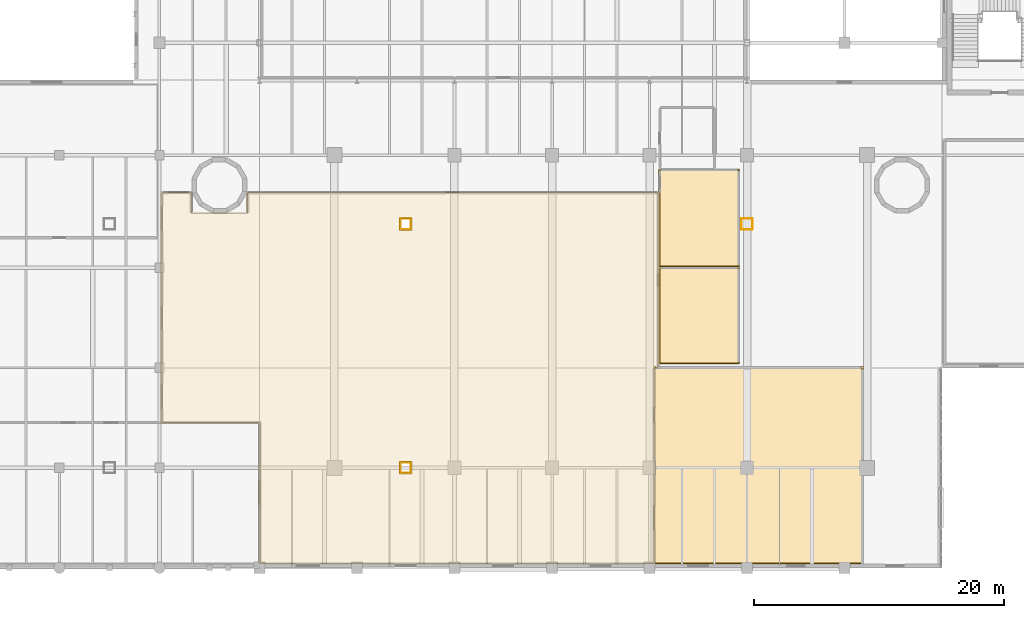
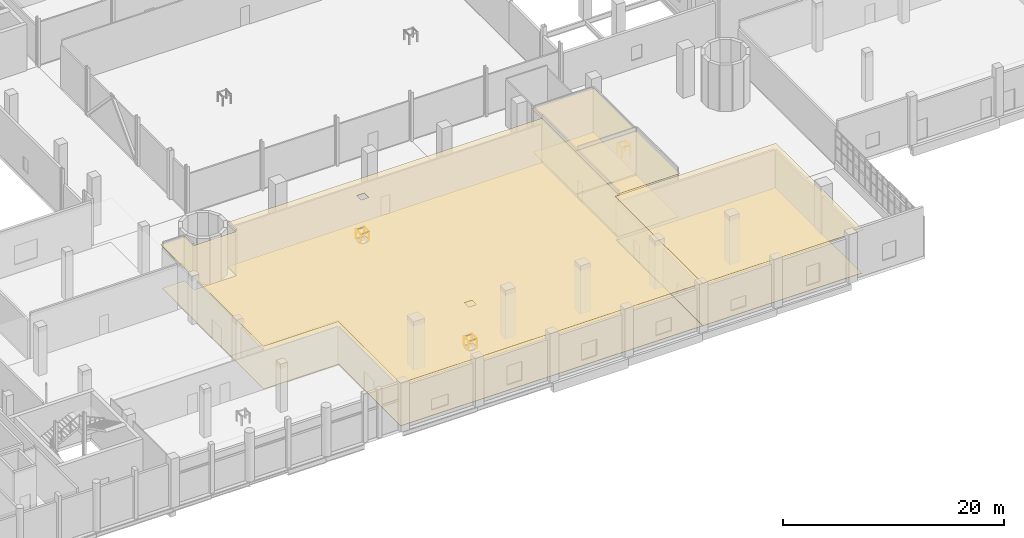
# One storey, part 52 of 57: 12 railings, 8 coverings.
"""IFC4 building model written with IfcOpenShell, lengths in metres."""

from ifc_helpers import new_model, si_unit, derived_unit, direction, frame, origin, origin_2d, place, context, subcontext, project, spatial, polyline, circle, outline, extrude, material, layer, layer_set, type_object, element, save


model = new_model("IFC4")

# Units and contexts
model_context = context("Model", 3, precision=1e-05, world=origin(), true_north=direction((0.0, 1.0)))
body_context = subcontext(model_context, "Body", "Model", "MODEL_VIEW")
ifc_project = project(units=[si_unit("LENGTHUNIT", "METRE"), si_unit("AREAUNIT", "SQUARE_METRE"), si_unit("VOLUMEUNIT", "CUBIC_METRE"), si_unit("PLANEANGLEUNIT", "RADIAN"), si_unit("MASSUNIT", "GRAM", prefix="KILO"), derived_unit("THERMALTRANSMITTANCEUNIT", [(si_unit("POWERUNIT", "WATT"), 1), (si_unit("LENGTHUNIT", "METRE"), -2), (si_unit("THERMODYNAMICTEMPERATUREUNIT", "KELVIN"), -1)])], contexts=[model_context])

# Site, building, storey
site_placement = place(None, origin())
site = spatial("IfcSite", under=ifc_project, at=site_placement, CompositionType="ELEMENT")
building_placement = place(site_placement, origin())
building = spatial("IfcBuilding", under=site, at=building_placement, Name="Nallur Shell Playhouse", CompositionType="ELEMENT")
storey_placement = place(building_placement, origin())
storey = spatial("IfcBuildingStorey", under=building, at=storey_placement, Name="L01", CompositionType="ELEMENT", Elevation=0.0)

# Coverings
ifc_material_1 = material(Name="Micro-Perforated Teak Veneer Acoustic Baffle Ceiling")
ifc_layer_1 = layer(ifc_material_1, 0.044921875)
ifc_layer_set_1 = layer_set([ifc_layer_1], Name="Micro-Perforated Teak Veneer Acoustic Baffle Ceiling")
covering_type_1 = type_object("IfcCoveringType", Name="CV-CEIL-AC1", PredefinedType="CEILING", material=ifc_layer_set_1)
covering_1_placement = place(storey_placement, frame((0.0, 0.0, 4.804931640625)))
element("IfcCovering", 1, at=covering_1_placement, inside=storey, type_object=covering_type_1, Name="Main Foyer Female Restroom suspended acoustic ceiling", PredefinedType="CEILING", context=body_context, shape_type="SweptSolid", body=[
    extrude(outline(polyline([(102.409912109375, 32.030029296875), (95.909912109375, 32.030029296875), (95.909912109375, 39.909912109375), (102.409912109375, 39.909912109375), (102.409912109375, 32.030029296875)])), origin(), (0.0, 0.0, 1.0), 0.045166015625),
])
ifc_material_2 = material(Name="Mineral-Fibre High-NRC Suspended Ceiling Tile")
ifc_layer_2 = layer(ifc_material_2, 0.030029296875)
ifc_layer_set_2 = layer_set([ifc_layer_2], Name="Mineral-Fibre High-NRC Suspended Ceiling Tile")
covering_type_2 = type_object("IfcCoveringType", Name="CV-CEIL-AC2", PredefinedType="CEILING", material=ifc_layer_set_2)
covering_2_placement = place(storey_placement, frame((0.0, 0.0, 4.820068359375)))
element("IfcCovering", 2, at=covering_2_placement, inside=storey, type_object=covering_type_2, Name="Grand Monsoon Concourse & Ticket Hall suspended acoustic ceiling", PredefinedType="CEILING", context=body_context, shape_type="SweptSolid", body=[
    extrude(outline(polyline([(63.919921875, 19.52001953125), (56.090087890625, 19.52001953125), (56.090087890625, 38.110107421875), (58.659912109375, 38.110107421875), (58.659912109375, 36.4599609375), (62.93994140625, 36.4599609375), (62.93994140625, 38.110107421875), (95.989990234375, 38.110107421875), (95.989990234375, 23.919921875), (95.679931640625, 23.919921875), (95.679931640625, 8.2900390625), (63.919921875, 8.2900390625), (63.919921875, 19.52001953125)]), holes=[polyline([(75.31005859375, 16.389892578125), (75.31005859375, 15.610107421875), (76.090087890625, 15.610107421875), (76.090087890625, 16.389892578125), (75.31005859375, 16.389892578125)]), polyline([(75.31005859375, 35.889892578125), (75.31005859375, 35.110107421875), (76.090087890625, 35.110107421875), (76.090087890625, 35.889892578125), (75.31005859375, 35.889892578125)])]), origin(), (0.0, 0.0, 1.0), 0.030029296875),
])
covering_3_placement = place(storey_placement, frame((0.0, 0.0, 4.820068359375)))
element("IfcCovering", 3, at=covering_3_placement, inside=storey, type_object=covering_type_2, Name="Patron Cloakroom & Audio Guide Counter suspended acoustic ceiling", PredefinedType="CEILING", context=body_context, shape_type="SweptSolid", body=[
    extrude(outline(polyline([(112.31005859375, 24.110107421875), (112.31005859375, 8.2900390625), (95.489990234375, 8.2900390625), (95.489990234375, 24.110107421875), (112.31005859375, 24.110107421875)])), origin(), (0.0, 0.0, 1.0), 0.030029296875),
])
covering_4_placement = place(storey_placement, frame((0.0, 0.0, 4.820068359375)))
element("IfcCovering", 4, at=covering_4_placement, inside=storey, type_object=covering_type_2, Name="Main Foyer Male Restroom suspended acoustic ceiling", PredefinedType="CEILING", context=body_context, shape_type="SweptSolid", body=[
    extrude(outline(polyline([(102.409912109375, 24.2900390625), (95.909912109375, 24.2900390625), (95.909912109375, 32.110107421875), (102.409912109375, 32.110107421875), (102.409912109375, 24.2900390625)])), origin(), (0.0, 0.0, 1.0), 0.030029296875),
])
ifc_material_3 = material(Name="Polished Chettinad Oxide & White Marble Terrazzo Flooring", Category="masonry")
ifc_layer_3 = layer(ifc_material_3, 0.050048828125)
ifc_layer_set_3 = layer_set([ifc_layer_3], Name="Polished Chettinad Oxide & White Marble Terrazzo Flooring")
covering_type_3 = type_object("IfcCoveringType", Name="CV-FLOR-TERRAZZO", PredefinedType="FLOORING", material=ifc_layer_set_3)
covering_5_placement = place(storey_placement, origin())
element("IfcCovering", 5, at=covering_5_placement, inside=storey, type_object=covering_type_3, Name="Grand Monsoon Concourse & Ticket Hall floor finish", PredefinedType="FLOORING", context=body_context, shape_type="SweptSolid", body=[
    extrude(outline(polyline([(95.59130859375, 24.02880859375), (95.58837890625, 24.027587890625), (95.5859375, 24.026611328125), (95.583251953125, 24.02490234375), (95.5810546875, 24.023193359375), (95.578857421875, 24.021240234375), (95.576904296875, 24.01904296875), (95.5751953125, 24.0166015625), (95.573486328125, 24.01416015625), (95.572265625, 24.011474609375), (95.5712890625, 24.0087890625), (95.570556640625, 24.005859375), (95.570068359375, 24.0029296875), (95.570068359375, 24.0), (95.570068359375, 8.39990234375), (64.030029296875, 8.39990234375), (64.030029296875, 19.60009765625), (64.02978515625, 19.602783203125), (64.029296875, 19.60595703125), (64.02880859375, 19.608642578125), (64.027587890625, 19.611572265625), (64.026611328125, 19.614013671875), (64.02490234375, 19.61669921875), (64.023193359375, 19.618896484375), (64.021240234375, 19.62109375), (64.01904296875, 19.623291015625), (64.0166015625, 19.625), (64.01416015625, 19.62646484375), (64.011474609375, 19.627685546875), (64.0087890625, 19.628662109375), (64.005859375, 19.62939453125), (64.0029296875, 19.6298828125), (64.0, 19.6298828125), (56.199951171875, 19.6298828125), (56.199951171875, 38.0), (58.550048828125, 38.0), (58.550048828125, 36.35009765625), (63.050048828125, 36.35009765625), (63.050048828125, 38.0), (95.8798828125, 38.0), (95.8798828125, 24.030029296875), (95.60009765625, 24.030029296875), (95.59716796875, 24.02978515625), (95.593994140625, 24.029296875), (95.59130859375, 24.02880859375)]), holes=[polyline([(75.199951171875, 16.5), (75.199951171875, 15.5), (76.199951171875, 15.5), (76.199951171875, 16.5), (75.199951171875, 16.5)]), polyline([(75.199951171875, 36.0), (75.199951171875, 35.0), (76.199951171875, 35.0), (76.199951171875, 36.0), (75.199951171875, 36.0)])]), origin(), (0.0, 0.0, 1.0), 0.050048828125),
])
covering_6_placement = place(storey_placement, origin())
element("IfcCovering", 6, at=covering_6_placement, inside=storey, type_object=covering_type_3, Name="Patron Cloakroom & Audio Guide Counter floor finish", PredefinedType="FLOORING", context=body_context, shape_type="SweptSolid", body=[
    extrude(outline(polyline([(112.199951171875, 24.0), (112.199951171875, 8.39990234375), (95.60009765625, 8.39990234375), (95.60009765625, 24.0), (112.199951171875, 24.0)])), origin(), (0.0, 0.0, 1.0), 0.050048828125),
])
covering_7_placement = place(storey_placement, origin())
element("IfcCovering", 7, at=covering_7_placement, inside=storey, type_object=covering_type_3, Name="Main Foyer Male Restroom floor finish", PredefinedType="FLOORING", context=body_context, shape_type="SweptSolid", body=[
    extrude(outline(polyline([(102.300048828125, 24.39990234375), (96.02001953125, 24.39990234375), (96.02001953125, 32.0), (102.300048828125, 32.0), (102.300048828125, 24.39990234375)])), origin(), (0.0, 0.0, 1.0), 0.050048828125),
])
covering_8_placement = place(storey_placement, origin())
element("IfcCovering", 8, at=covering_8_placement, inside=storey, type_object=covering_type_3, Name="Main Foyer Female Restroom floor finish", PredefinedType="FLOORING", context=body_context, shape_type="SweptSolid", body=[
    extrude(outline(polyline([(102.300048828125, 32.139892578125), (96.02001953125, 32.139892578125), (96.02001953125, 39.800048828125), (102.300048828125, 39.800048828125), (102.300048828125, 32.139892578125)])), origin(), (0.0, 0.0, 1.0), 0.050048828125),
])

# Railings
ifc_material_4 = material(Name="Brushed Stainless Steel 316 Balustrade & Toughened Infill", Category="steel")
railing_type = type_object("IfcRailingType", Name="RL-GUARD-1100", PredefinedType="BALUSTRADE", material=ifc_material_4)
railing_1_placement = place(storey_placement, frame((75.27001953125, 15.570068359375, 0.0)))
element("IfcRailing", 9, at=railing_1_placement, inside=storey, type_object=railing_type, Name="L01 service riser edge guard 047", PredefinedType="BALUSTRADE", context=body_context, shape_type="SweptSolid", body=[
    extrude(circle(Radius=0.02392578125, at=origin_2d()), frame((0.0, 0.0, 1.09619140625), z_axis=(1.0, 0.0, 0.0), x_axis=(0.0, 1.0, 0.0)), (0.0, 0.0, 1.0), 0.85986328125),
    extrude(circle(Radius=0.02099609375, at=origin_2d()), origin(), (0.0, 0.0, 1.0), 1.072021484375),
    extrude(circle(Radius=0.02099609375, at=origin_2d()), frame((0.85986328125, 0.0, 0.0)), (0.0, 0.0, 1.0), 1.072021484375),
])
railing_2_placement = place(storey_placement, frame((76.1298828125, 15.570068359375, 0.0)))
element("IfcRailing", 10, at=railing_2_placement, inside=storey, type_object=railing_type, Name="L01 service riser edge guard 048", PredefinedType="BALUSTRADE", context=body_context, shape_type="SweptSolid", body=[
    extrude(circle(Radius=0.02392578125, at=origin_2d()), frame((0.0, 0.0, 1.09619140625), z_axis=(0.0, 1.0, 0.0), x_axis=(-1.0, 0.0, 0.0)), (0.0, 0.0, 1.0), 0.85986328125),
    extrude(circle(Radius=0.02099609375, at=origin_2d()), origin(), (0.0, 0.0, 1.0), 1.072021484375),
    extrude(circle(Radius=0.02099609375, at=origin_2d()), frame((0.0, 0.85986328125, 0.0)), (0.0, 0.0, 1.0), 1.072021484375),
])
railing_3_placement = place(storey_placement, frame((76.1298828125, 16.429931640625, 0.0)))
element("IfcRailing", 11, at=railing_3_placement, inside=storey, type_object=railing_type, Name="L01 service riser edge guard 049", PredefinedType="BALUSTRADE", context=body_context, shape_type="SweptSolid", body=[
    extrude(circle(Radius=0.02392578125, at=origin_2d()), frame((0.0, 0.0, 1.09619140625), z_axis=(-1.0, 0.0, 0.0), x_axis=(0.0, -1.0, 0.0)), (0.0, 0.0, 1.0), 0.85986328125),
    extrude(circle(Radius=0.02099609375, at=origin_2d()), origin(), (0.0, 0.0, 1.0), 1.072021484375),
    extrude(circle(Radius=0.02099609375, at=origin_2d()), frame((-0.85986328125, 0.0, 0.0)), (0.0, 0.0, 1.0), 1.072021484375),
])
railing_4_placement = place(storey_placement, frame((75.27001953125, 16.429931640625, 0.0)))
element("IfcRailing", 12, at=railing_4_placement, inside=storey, type_object=railing_type, Name="L01 service riser edge guard 050", PredefinedType="BALUSTRADE", context=body_context, shape_type="SweptSolid", body=[
    extrude(circle(Radius=0.02392578125, at=origin_2d()), frame((0.0, 0.0, 1.09619140625), z_axis=(0.0, -1.0, 0.0), x_axis=(1.0, 0.0, 0.0)), (0.0, 0.0, 1.0), 0.85986328125),
    extrude(circle(Radius=0.02099609375, at=origin_2d()), origin(), (0.0, 0.0, 1.0), 1.072021484375),
    extrude(circle(Radius=0.02099609375, at=origin_2d()), frame((0.0, -0.85986328125, 0.0)), (0.0, 0.0, 1.0), 1.072021484375),
])
railing_5_placement = place(storey_placement, frame((75.27001953125, 35.070068359375, 0.0)))
element("IfcRailing", 13, at=railing_5_placement, inside=storey, type_object=railing_type, Name="L01 service riser edge guard 051", PredefinedType="BALUSTRADE", context=body_context, shape_type="SweptSolid", body=[
    extrude(circle(Radius=0.02392578125, at=origin_2d()), frame((0.0, 0.0, 1.09619140625), z_axis=(1.0, 0.0, 0.0), x_axis=(0.0, 1.0, 0.0)), (0.0, 0.0, 1.0), 0.85986328125),
    extrude(circle(Radius=0.02099609375, at=origin_2d()), origin(), (0.0, 0.0, 1.0), 1.072021484375),
    extrude(circle(Radius=0.02099609375, at=origin_2d()), frame((0.85986328125, 0.0, 0.0)), (0.0, 0.0, 1.0), 1.072021484375),
])
railing_6_placement = place(storey_placement, frame((76.1298828125, 35.070068359375, 0.0)))
element("IfcRailing", 14, at=railing_6_placement, inside=storey, type_object=railing_type, Name="L01 service riser edge guard 052", PredefinedType="BALUSTRADE", context=body_context, shape_type="SweptSolid", body=[
    extrude(circle(Radius=0.02392578125, at=origin_2d()), frame((0.0, 0.0, 1.09619140625), z_axis=(0.0, 1.0, 0.0), x_axis=(-1.0, 0.0, 0.0)), (0.0, 0.0, 1.0), 0.85986328125),
    extrude(circle(Radius=0.02099609375, at=origin_2d()), origin(), (0.0, 0.0, 1.0), 1.072021484375),
    extrude(circle(Radius=0.02099609375, at=origin_2d()), frame((0.0, 0.85986328125, 0.0)), (0.0, 0.0, 1.0), 1.072021484375),
])
railing_7_placement = place(storey_placement, frame((76.1298828125, 35.929931640625, 0.0)))
element("IfcRailing", 15, at=railing_7_placement, inside=storey, type_object=railing_type, Name="L01 service riser edge guard 053", PredefinedType="BALUSTRADE", context=body_context, shape_type="SweptSolid", body=[
    extrude(circle(Radius=0.02392578125, at=origin_2d()), frame((0.0, 0.0, 1.09619140625), z_axis=(-1.0, 0.0, 0.0), x_axis=(0.0, -1.0, 0.0)), (0.0, 0.0, 1.0), 0.85986328125),
    extrude(circle(Radius=0.02099609375, at=origin_2d()), origin(), (0.0, 0.0, 1.0), 1.072021484375),
    extrude(circle(Radius=0.02099609375, at=origin_2d()), frame((-0.85986328125, 0.0, 0.0)), (0.0, 0.0, 1.0), 1.072021484375),
])
railing_8_placement = place(storey_placement, frame((75.27001953125, 35.929931640625, 0.0)))
element("IfcRailing", 16, at=railing_8_placement, inside=storey, type_object=railing_type, Name="L01 service riser edge guard 054", PredefinedType="BALUSTRADE", context=body_context, shape_type="SweptSolid", body=[
    extrude(circle(Radius=0.02392578125, at=origin_2d()), frame((0.0, 0.0, 1.09619140625), z_axis=(0.0, -1.0, 0.0), x_axis=(1.0, 0.0, 0.0)), (0.0, 0.0, 1.0), 0.85986328125),
    extrude(circle(Radius=0.02099609375, at=origin_2d()), origin(), (0.0, 0.0, 1.0), 1.072021484375),
    extrude(circle(Radius=0.02099609375, at=origin_2d()), frame((0.0, -0.85986328125, 0.0)), (0.0, 0.0, 1.0), 1.072021484375),
])
railing_9_placement = place(storey_placement, frame((102.570068359375, 35.070068359375, 0.0)))
element("IfcRailing", 17, at=railing_9_placement, inside=storey, type_object=railing_type, Name="L01 service riser edge guard 059", PredefinedType="BALUSTRADE", context=body_context, shape_type="SweptSolid", body=[
    extrude(circle(Radius=0.02392578125, at=origin_2d()), frame((0.0, 0.0, 1.09619140625), z_axis=(1.0, 0.0, 0.0), x_axis=(0.0, 1.0, 0.0)), (0.0, 0.0, 1.0), 0.85986328125),
    extrude(circle(Radius=0.02099609375, at=origin_2d()), origin(), (0.0, 0.0, 1.0), 1.072021484375),
    extrude(circle(Radius=0.02099609375, at=origin_2d()), frame((0.85986328125, 0.0, 0.0)), (0.0, 0.0, 1.0), 1.072021484375),
])
railing_10_placement = place(storey_placement, frame((103.429931640625, 35.070068359375, 0.0)))
element("IfcRailing", 18, at=railing_10_placement, inside=storey, type_object=railing_type, Name="L01 service riser edge guard 060", PredefinedType="BALUSTRADE", context=body_context, shape_type="SweptSolid", body=[
    extrude(circle(Radius=0.02392578125, at=origin_2d()), frame((0.0, 0.0, 1.09619140625), z_axis=(0.0, 1.0, 0.0), x_axis=(-1.0, 0.0, 0.0)), (0.0, 0.0, 1.0), 0.85986328125),
    extrude(circle(Radius=0.02099609375, at=origin_2d()), origin(), (0.0, 0.0, 1.0), 1.072021484375),
    extrude(circle(Radius=0.02099609375, at=origin_2d()), frame((0.0, 0.85986328125, 0.0)), (0.0, 0.0, 1.0), 1.072021484375),
])
railing_11_placement = place(storey_placement, frame((103.429931640625, 35.929931640625, 0.0)))
element("IfcRailing", 19, at=railing_11_placement, inside=storey, type_object=railing_type, Name="L01 service riser edge guard 061", PredefinedType="BALUSTRADE", context=body_context, shape_type="SweptSolid", body=[
    extrude(circle(Radius=0.02392578125, at=origin_2d()), frame((0.0, 0.0, 1.09619140625), z_axis=(-1.0, 0.0, 0.0), x_axis=(0.0, -1.0, 0.0)), (0.0, 0.0, 1.0), 0.85986328125),
    extrude(circle(Radius=0.02099609375, at=origin_2d()), origin(), (0.0, 0.0, 1.0), 1.072021484375),
    extrude(circle(Radius=0.02099609375, at=origin_2d()), frame((-0.85986328125, 0.0, 0.0)), (0.0, 0.0, 1.0), 1.072021484375),
])
railing_12_placement = place(storey_placement, frame((102.570068359375, 35.929931640625, 0.0)))
element("IfcRailing", 20, at=railing_12_placement, inside=storey, type_object=railing_type, Name="L01 service riser edge guard 062", PredefinedType="BALUSTRADE", context=body_context, shape_type="SweptSolid", body=[
    extrude(circle(Radius=0.02392578125, at=origin_2d()), frame((0.0, 0.0, 1.09619140625), z_axis=(0.0, -1.0, 0.0), x_axis=(1.0, 0.0, 0.0)), (0.0, 0.0, 1.0), 0.85986328125),
    extrude(circle(Radius=0.02099609375, at=origin_2d()), origin(), (0.0, 0.0, 1.0), 1.072021484375),
    extrude(circle(Radius=0.02099609375, at=origin_2d()), frame((0.0, -0.85986328125, 0.0)), (0.0, 0.0, 1.0), 1.072021484375),
])

save(model, "model.ifc")
